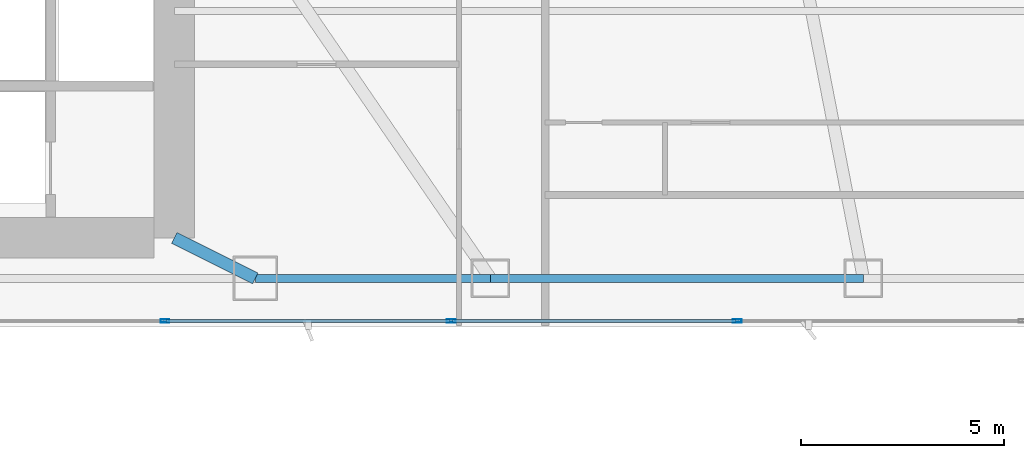
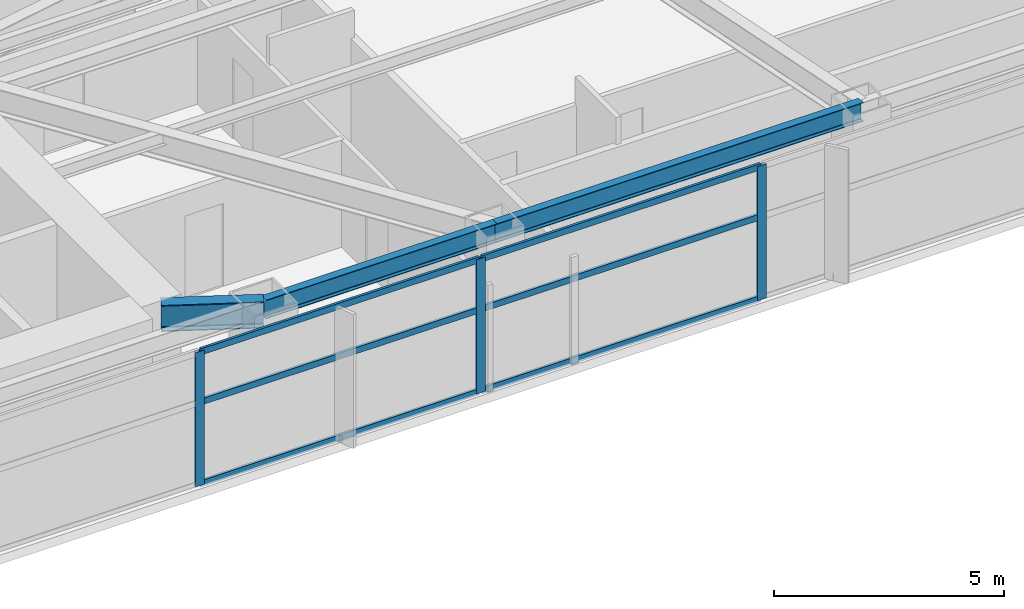
# One storey, part 12 of 29: 9 members, 3 beams, 1 element without a shape of its own.
"""IFC4 building model written with IfcOpenShell, lengths in metres."""

from ifc_helpers import new_model, si_unit, direction, frame, origin, origin_2d, place, context, subcontext, project, spatial, hollow_rectangle, i_section, extrude, material, layer, layer_set, material_profile, profile_set, type_object, element, aggregate, save


model = new_model("IFC4")

# Units and contexts
model_context = context("Model", 3, precision=1e-05, world=origin(), true_north=direction((0.0, 1.0)))
body_context = subcontext(model_context, "Body", "Model", "MODEL_VIEW")
ifc_project = project(units=[si_unit("LENGTHUNIT", "METRE"), si_unit("AREAUNIT", "SQUARE_METRE"), si_unit("VOLUMEUNIT", "CUBIC_METRE"), si_unit("PLANEANGLEUNIT", "RADIAN"), si_unit("MASSUNIT", "GRAM", prefix="KILO")], contexts=[model_context])

# Site, building, storey
site_placement = place(None, origin())
site = spatial("IfcSite", under=ifc_project, at=site_placement, CompositionType="ELEMENT")
building_placement = place(site_placement, origin())
building = spatial("IfcBuilding", under=site, at=building_placement, Name="Calvorn Quay Hotel", CompositionType="ELEMENT")
storey_placement = place(building_placement, frame((0.0, 0.0, 58.39990234375)))
storey = spatial("IfcBuildingStorey", under=building, at=storey_placement, Name="L13", CompositionType="ELEMENT", Elevation=58.39990234375)

# Beams
ifc_material_1 = material(Name="Steel Q390GJC", Category="steel")
ifc_material_profile_1 = material_profile(ifc_material_1, i_section(OverallWidth=0.300048828125, OverallDepth=0.699951171875, WebThickness=0.012939453125, FlangeThickness=0.02392578125, FilletRadius=0.02392578125, at=origin_2d()), Name="HN700x300x13x24")
ifc_profile_set_1 = profile_set([ifc_material_profile_1], Name="Steel Q390GJC")
beam_type_1 = type_object("IfcBeamType", Name="BM-GIRD-MAIN", PredefinedType="BEAM", material=ifc_profile_set_1)
beam_1_placement = place(storey_placement, frame((34.39990234375, 3.60009765625, 3.190185546875), z_axis=(-0.894427191, 0.4472135955, 0.0), x_axis=(-0.4472135955, -0.894427191, 0.0)))
element("IfcBeam", 1, at=beam_1_placement, inside=storey, type_object=beam_type_1, Name="Beam BG-L13-S3", PredefinedType="BEAM", context=body_context, shape_type="SweptSolid", body=[
    extrude(i_section(OverallWidth=0.300048828125, OverallDepth=0.699951171875, WebThickness=0.012939453125, FlangeThickness=0.02392578125, FilletRadius=0.02392578125, at=origin_2d()), origin(), (0.0, 0.0, 1.0), 2.236083984375),
])
ifc_material_2 = material(Name="Steel Q355B", Category="steel")
ifc_material_profile_2 = material_profile(ifc_material_2, i_section(OverallWidth=0.199951171875, OverallDepth=0.5, WebThickness=0.010009765625, FlangeThickness=0.01611328125, FilletRadius=0.01611328125, at=origin_2d()), Name="HN500x200x10x16")
ifc_profile_set_2 = profile_set([ifc_material_profile_2], Name="Steel Q355B")
beam_type_2 = type_object("IfcBeamType", Name="BM-SPANDREL-Z1", PredefinedType="SPANDREL", material=ifc_profile_set_2)
beam_2_placement = place(storey_placement, frame((34.39990234375, 3.60009765625, 3.2900390625), z_axis=(1.0, 0.0, 0.0), x_axis=(0.0, 1.0, 0.0)))
element("IfcBeam", 2, at=beam_2_placement, inside=storey, type_object=beam_type_2, Name="Beam BSP-L13-S4", PredefinedType="SPANDREL", context=body_context, shape_type="SweptSolid", body=[
    extrude(i_section(OverallWidth=0.199951171875, OverallDepth=0.5, WebThickness=0.010009765625, FlangeThickness=0.01611328125, FilletRadius=0.01611328125, at=origin_2d()), origin(), (0.0, 0.0, 1.0), 5.800048828125),
])
beam_3_placement = place(storey_placement, frame((40.199951171875, 3.60009765625, 3.2900390625), z_axis=(1.0, 0.0, 0.0), x_axis=(0.0, 1.0, 0.0)))
element("IfcBeam", 3, at=beam_3_placement, inside=storey, type_object=beam_type_2, Name="Beam BSP-L13-S5", PredefinedType="SPANDREL", context=body_context, shape_type="SweptSolid", body=[
    extrude(i_section(OverallWidth=0.199951171875, OverallDepth=0.5, WebThickness=0.010009765625, FlangeThickness=0.01611328125, FilletRadius=0.01611328125, at=origin_2d()), origin(), (0.0, 0.0, 1.0), 9.199951171875),
])

# Curtain wall, members
ifc_material_3 = material(Name="Pale Anodised Aluminium and Low-E Glass", Category="aluminium")
ifc_layer = layer(ifc_material_3, 0.219970703125)
ifc_layer_set = layer_set([ifc_layer], Name="CW-SYS-Z1")
curtain_wall_type = type_object("IfcCurtainWallType", Name="CW-SYS-Z1", PredefinedType="NOTDEFINED", material=ifc_layer_set)
curtain_wall_placement = place(storey_placement, origin())
curtain_wall = element("IfcCurtainWall", 4, at=curtain_wall_placement, inside=storey, type_object=curtain_wall_type, Name="Tower South Waterfront Curtain Wall (L13)", PredefinedType="NOTDEFINED")
ifc_material_4 = material(Name="Pale Anodised Aluminium 6063-T6", Category="aluminium")
ifc_material_profile_3 = material_profile(ifc_material_4, hollow_rectangle(XDim=0.074951171875, YDim=0.219970703125, WallThickness=0.00439453125, at=origin_2d()), Name="ALU-M220x75x4.5")
ifc_profile_set_3 = profile_set([ifc_material_profile_3], Name="Pale Anodised Aluminium 6063-T6")
member_type_1 = type_object("IfcMemberType", Name="CW-SYS-Z1-MUL", PredefinedType="MULLION", material=ifc_profile_set_3)
member_1_placement = place(storey_placement, frame((32.17138671875, 2.550048828125, 0.0), z_axis=(0.0, 0.0, 1.0), x_axis=(0.0, 1.0, 0.0)))
member_1 = element("IfcMember", 5, at=member_1_placement, type_object=member_type_1, Name="CW-L13-S mullion 4", PredefinedType="MULLION", context=body_context, shape_type="SweptSolid", body=[
    extrude(hollow_rectangle(XDim=0.074951171875, YDim=0.219970703125, WallThickness=0.00439453125, at=origin_2d()), origin(), (0.0, 0.0, 1.0), 3.56005859375),
])
member_2_placement = place(storey_placement, frame((39.228515625, 2.550048828125, 0.0), z_axis=(0.0, 0.0, 1.0), x_axis=(0.0, 1.0, 0.0)))
member_2 = element("IfcMember", 6, at=member_2_placement, type_object=member_type_1, Name="CW-L13-S mullion 5", PredefinedType="MULLION", context=body_context, shape_type="SweptSolid", body=[
    extrude(hollow_rectangle(XDim=0.074951171875, YDim=0.219970703125, WallThickness=0.00439453125, at=origin_2d()), origin(), (0.0, 0.0, 1.0), 3.56005859375),
])
member_3_placement = place(storey_placement, frame((46.28564453125, 2.550048828125, 0.0), z_axis=(0.0, 0.0, 1.0), x_axis=(0.0, 1.0, 0.0)))
member_3 = element("IfcMember", 7, at=member_3_placement, type_object=member_type_1, Name="CW-L13-S mullion 6", PredefinedType="MULLION", context=body_context, shape_type="SweptSolid", body=[
    extrude(hollow_rectangle(XDim=0.074951171875, YDim=0.219970703125, WallThickness=0.00439453125, at=origin_2d()), origin(), (0.0, 0.0, 1.0), 3.56005859375),
])
ifc_material_5 = material(Name="Pale Anodised Aluminium 6063-T6", Category="aluminium")
ifc_material_profile_4 = material_profile(ifc_material_5, hollow_rectangle(XDim=0.06494140625, YDim=0.1650390625, WallThickness=0.00341796875, at=origin_2d()), Name="ALU-T165x65x3.5")
ifc_profile_set_4 = profile_set([ifc_material_profile_4], Name="Pale Anodised Aluminium 6063-T6")
member_type_2 = type_object("IfcMemberType", Name="CW-SYS-Z1-TRN", PredefinedType="USERDEFINED", material=ifc_profile_set_4)
member_4_placement = place(storey_placement, frame((32.201416015625, 2.550048828125, 0.030029296875), z_axis=(1.0, 0.0, 0.0), x_axis=(0.0, 1.0, 0.0)))
member_4 = element("IfcMember", 8, at=member_4_placement, type_object=member_type_2, Name="CW-L13-S transom 4.1", ObjectType="TRANSOM", PredefinedType="USERDEFINED", context=body_context, shape_type="SweptSolid", body=[
    extrude(hollow_rectangle(XDim=0.06494140625, YDim=0.1650390625, WallThickness=0.00341796875, at=origin_2d()), origin(), (0.0, 0.0, 1.0), 6.9970703125),
])
member_5_placement = place(storey_placement, frame((32.201416015625, 2.550048828125, 2.2001953125), z_axis=(1.0, 0.0, 0.0), x_axis=(0.0, 1.0, 0.0)))
member_5 = element("IfcMember", 9, at=member_5_placement, type_object=member_type_2, Name="CW-L13-S transom 4.2", ObjectType="TRANSOM", PredefinedType="USERDEFINED", context=body_context, shape_type="SweptSolid", body=[
    extrude(hollow_rectangle(XDim=0.06494140625, YDim=0.1650390625, WallThickness=0.00341796875, at=origin_2d()), origin(), (0.0, 0.0, 1.0), 6.9970703125),
])
member_6_placement = place(storey_placement, frame((32.201416015625, 2.550048828125, 3.530029296875), z_axis=(1.0, 0.0, 0.0), x_axis=(0.0, 1.0, 0.0)))
member_6 = element("IfcMember", 10, at=member_6_placement, type_object=member_type_2, Name="CW-L13-S transom 4.3", ObjectType="TRANSOM", PredefinedType="USERDEFINED", context=body_context, shape_type="SweptSolid", body=[
    extrude(hollow_rectangle(XDim=0.06494140625, YDim=0.1650390625, WallThickness=0.00341796875, at=origin_2d()), origin(), (0.0, 0.0, 1.0), 6.9970703125),
])
member_7_placement = place(storey_placement, frame((39.258544921875, 2.550048828125, 0.030029296875), z_axis=(1.0, 0.0, 0.0), x_axis=(0.0, 1.0, 0.0)))
member_7 = element("IfcMember", 11, at=member_7_placement, type_object=member_type_2, Name="CW-L13-S transom 5.1", ObjectType="TRANSOM", PredefinedType="USERDEFINED", context=body_context, shape_type="SweptSolid", body=[
    extrude(hollow_rectangle(XDim=0.06494140625, YDim=0.1650390625, WallThickness=0.00341796875, at=origin_2d()), origin(), (0.0, 0.0, 1.0), 6.9970703125),
])
member_8_placement = place(storey_placement, frame((39.258544921875, 2.550048828125, 2.2001953125), z_axis=(1.0, 0.0, 0.0), x_axis=(0.0, 1.0, 0.0)))
member_8 = element("IfcMember", 12, at=member_8_placement, type_object=member_type_2, Name="CW-L13-S transom 5.2", ObjectType="TRANSOM", PredefinedType="USERDEFINED", context=body_context, shape_type="SweptSolid", body=[
    extrude(hollow_rectangle(XDim=0.06494140625, YDim=0.1650390625, WallThickness=0.00341796875, at=origin_2d()), origin(), (0.0, 0.0, 1.0), 6.9970703125),
])
member_9_placement = place(storey_placement, frame((39.258544921875, 2.550048828125, 3.530029296875), z_axis=(1.0, 0.0, 0.0), x_axis=(0.0, 1.0, 0.0)))
member_9 = element("IfcMember", 13, at=member_9_placement, type_object=member_type_2, Name="CW-L13-S transom 5.3", ObjectType="TRANSOM", PredefinedType="USERDEFINED", context=body_context, shape_type="SweptSolid", body=[
    extrude(hollow_rectangle(XDim=0.06494140625, YDim=0.1650390625, WallThickness=0.00341796875, at=origin_2d()), origin(), (0.0, 0.0, 1.0), 6.9970703125),
])
aggregate(curtain_wall, [member_1, member_2, member_3, member_4, member_5, member_6, member_7, member_8, member_9])

save(model, "model.ifc")
